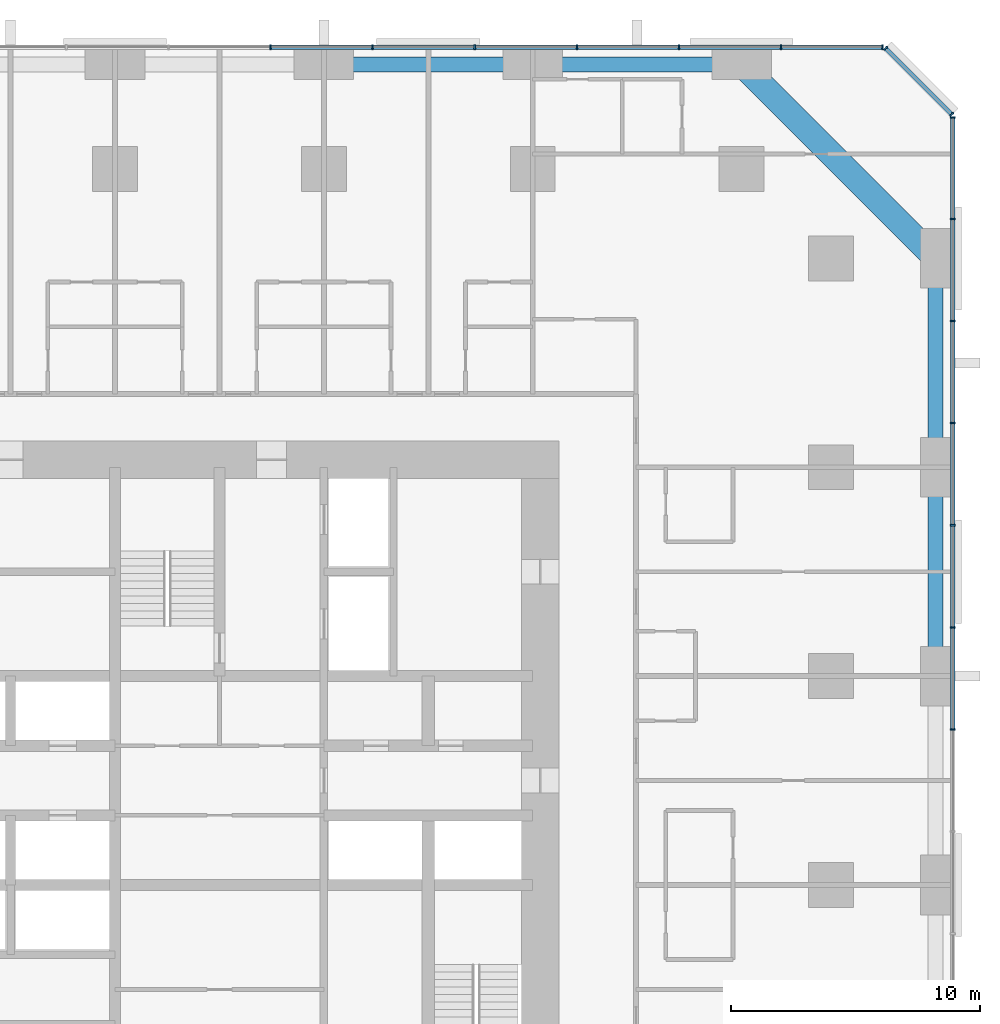
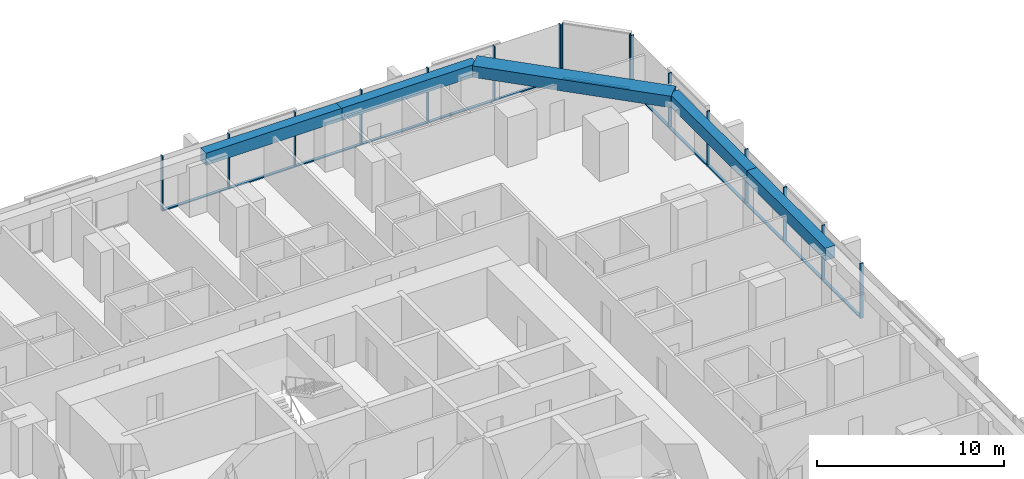
# One storey, part 8 of 17: 29 members, 5 beams, 3 elements without a shape of their own.
"""IFC4 building model written with IfcOpenShell, lengths in metres."""

from ifc_helpers import new_model, si_unit, direction, frame, origin, origin_2d, place, context, subcontext, project, spatial, rectangle, extrude, material, material_profile, profile_set, type_object, element, aggregate, save


model = new_model("IFC4")

# Units and contexts
model_context = context("Model", 3, precision=1e-05, world=origin(), true_north=direction((0.0, 1.0)))
body_context = subcontext(model_context, "Body", "Model", "MODEL_VIEW")
ifc_project = project(units=[si_unit("LENGTHUNIT", "METRE"), si_unit("AREAUNIT", "SQUARE_METRE"), si_unit("VOLUMEUNIT", "CUBIC_METRE"), si_unit("PLANEANGLEUNIT", "RADIAN"), si_unit("MASSUNIT", "GRAM", prefix="KILO")], contexts=[model_context])

# Site, building, storey
site_placement = place(None, origin())
site = spatial("IfcSite", under=ifc_project, at=site_placement, CompositionType="ELEMENT")
building_placement = place(site_placement, origin())
building = spatial("IfcBuilding", under=site, at=building_placement, Name="Dunama Terrace Hotel", CompositionType="ELEMENT")
storey_placement = place(building_placement, frame((0.0, 0.0, 63.0)))
storey = spatial("IfcBuildingStorey", under=building, at=storey_placement, Name="L15", CompositionType="ELEMENT", Elevation=63.0)

# Curtain wall, members
ifc_material_1 = material(Name="Aluminium curtain wall system", Category="aluminium")
curtain_wall_type = type_object("IfcCurtainWallType", Name="Unitised fritted glass wall CW-A", PredefinedType="NOTDEFINED", material=ifc_material_1)
curtain_wall_1_placement = place(storey_placement, origin())
curtain_wall_1 = element("IfcCurtainWall", 1, at=curtain_wall_1_placement, inside=storey, type_object=curtain_wall_type, Name="Unitised fritted glass wall CW-A L15", PredefinedType="NOTDEFINED")
ifc_material_2 = material(Name="Aluminium mullion", Category="aluminium")
ifc_material_profile_1 = material_profile(ifc_material_2, rectangle(XDim=0.06494140625, YDim=0.199951171875, at=origin_2d()), Name="CWA MULLION 65X200")
ifc_profile_set_1 = profile_set([ifc_material_profile_1], Name="Aluminium mullion")
member_type_1 = type_object("IfcMemberType", Name="CWA mullion 65x200", PredefinedType="MULLION", material=ifc_profile_set_1)
member_1_placement = place(storey_placement, frame((58.89990234375, 31.4541015625, 0.0), z_axis=(0.0, 0.0, 1.0), x_axis=(0.0, 1.0, 0.0)))
member_1 = element("IfcMember", 2, at=member_1_placement, type_object=member_type_1, Name="CWA mullion", PredefinedType="MULLION", context=body_context, shape_type="SweptSolid", body=[
    extrude(rectangle(XDim=0.06494140625, YDim=0.199951171875, at=origin_2d()), origin(), (0.0, 0.0, 1.0), 3.60009765625),
])
member_2_placement = place(storey_placement, frame((58.89990234375, 35.56201171875, 0.0), z_axis=(0.0, 0.0, 1.0), x_axis=(0.0, 1.0, 0.0)))
member_2 = element("IfcMember", 3, at=member_2_placement, type_object=member_type_1, Name="CWA mullion", PredefinedType="MULLION", context=body_context, shape_type="SweptSolid", body=[
    extrude(rectangle(XDim=0.06494140625, YDim=0.199951171875, at=origin_2d()), origin(), (0.0, 0.0, 1.0), 3.60009765625),
])
member_3_placement = place(storey_placement, frame((58.89990234375, 39.6689453125, 0.0), z_axis=(0.0, 0.0, 1.0), x_axis=(0.0, 1.0, 0.0)))
member_3 = element("IfcMember", 4, at=member_3_placement, type_object=member_type_1, Name="CWA mullion", PredefinedType="MULLION", context=body_context, shape_type="SweptSolid", body=[
    extrude(rectangle(XDim=0.06494140625, YDim=0.199951171875, at=origin_2d()), origin(), (0.0, 0.0, 1.0), 3.60009765625),
])
member_4_placement = place(storey_placement, frame((58.89990234375, 43.777099609375, 0.0), z_axis=(0.0, 0.0, 1.0), x_axis=(0.0, 1.0, 0.0)))
member_4 = element("IfcMember", 5, at=member_4_placement, type_object=member_type_1, Name="CWA mullion", PredefinedType="MULLION", context=body_context, shape_type="SweptSolid", body=[
    extrude(rectangle(XDim=0.06494140625, YDim=0.199951171875, at=origin_2d()), origin(), (0.0, 0.0, 1.0), 3.60009765625),
])
member_5_placement = place(storey_placement, frame((58.89990234375, 47.885009765625, 0.0), z_axis=(0.0, 0.0, 1.0), x_axis=(0.0, 1.0, 0.0)))
member_5 = element("IfcMember", 6, at=member_5_placement, type_object=member_type_1, Name="CWA mullion", PredefinedType="MULLION", context=body_context, shape_type="SweptSolid", body=[
    extrude(rectangle(XDim=0.06494140625, YDim=0.199951171875, at=origin_2d()), origin(), (0.0, 0.0, 1.0), 3.60009765625),
])
member_6_placement = place(storey_placement, frame((58.89990234375, 51.991943359375, 0.0), z_axis=(0.0, 0.0, 1.0), x_axis=(0.0, 1.0, 0.0)))
member_6 = element("IfcMember", 7, at=member_6_placement, type_object=member_type_1, Name="CWA mullion", PredefinedType="MULLION", context=body_context, shape_type="SweptSolid", body=[
    extrude(rectangle(XDim=0.06494140625, YDim=0.199951171875, at=origin_2d()), origin(), (0.0, 0.0, 1.0), 3.60009765625),
])
member_7_placement = place(storey_placement, frame((58.89990234375, 56.06689453125, 0.0), z_axis=(0.0, 0.0, 1.0), x_axis=(0.0, 1.0, 0.0)))
member_7 = element("IfcMember", 8, at=member_7_placement, type_object=member_type_1, Name="CWA mullion", PredefinedType="MULLION", context=body_context, shape_type="SweptSolid", body=[
    extrude(rectangle(XDim=0.06494140625, YDim=0.199951171875, at=origin_2d()), origin(), (0.0, 0.0, 1.0), 3.60009765625),
])

curtain_wall_2_placement = place(storey_placement, origin())
curtain_wall_2 = element("IfcCurtainWall", 9, at=curtain_wall_2_placement, inside=storey, type_object=curtain_wall_type, Name="Unitised fritted glass wall CW-A L15", PredefinedType="NOTDEFINED")
member_8_placement = place(storey_placement, frame((58.847900390625, 56.194091796875, 0.0), z_axis=(0.0, 0.0, 1.0), x_axis=(-0.707106781187, 0.707106781187, 0.0)))
member_8 = element("IfcMember", 10, at=member_8_placement, type_object=member_type_1, Name="CWA mullion", PredefinedType="MULLION", context=body_context, shape_type="SweptSolid", body=[
    extrude(rectangle(XDim=0.06494140625, YDim=0.199951171875, at=origin_2d()), origin(), (0.0, 0.0, 1.0), 3.60009765625),
])
member_9_placement = place(storey_placement, frame((56.194091796875, 58.847900390625, 0.0), z_axis=(0.0, 0.0, 1.0), x_axis=(-0.707106781187, 0.707106781187, 0.0)))
member_9 = element("IfcMember", 11, at=member_9_placement, type_object=member_type_1, Name="CWA mullion", PredefinedType="MULLION", context=body_context, shape_type="SweptSolid", body=[
    extrude(rectangle(XDim=0.06494140625, YDim=0.199951171875, at=origin_2d()), origin(), (0.0, 0.0, 1.0), 3.60009765625),
])

curtain_wall_3_placement = place(storey_placement, origin())
curtain_wall_3 = element("IfcCurtainWall", 12, at=curtain_wall_3_placement, inside=storey, type_object=curtain_wall_type, Name="Unitised fritted glass wall CW-A L15", PredefinedType="NOTDEFINED")
member_10_placement = place(storey_placement, frame((56.06689453125, 58.89990234375, 0.0), z_axis=(0.0, 0.0, 1.0), x_axis=(-1.0, 0.0, 0.0)))
member_10 = element("IfcMember", 13, at=member_10_placement, type_object=member_type_1, Name="CWA mullion", PredefinedType="MULLION", context=body_context, shape_type="SweptSolid", body=[
    extrude(rectangle(XDim=0.06494140625, YDim=0.199951171875, at=origin_2d()), origin(), (0.0, 0.0, 1.0), 3.60009765625),
])
member_11_placement = place(storey_placement, frame((51.991943359375, 58.89990234375, 0.0), z_axis=(0.0, 0.0, 1.0), x_axis=(-1.0, 0.0, 0.0)))
member_11 = element("IfcMember", 14, at=member_11_placement, type_object=member_type_1, Name="CWA mullion", PredefinedType="MULLION", context=body_context, shape_type="SweptSolid", body=[
    extrude(rectangle(XDim=0.06494140625, YDim=0.199951171875, at=origin_2d()), origin(), (0.0, 0.0, 1.0), 3.60009765625),
])
member_12_placement = place(storey_placement, frame((47.885009765625, 58.89990234375, 0.0), z_axis=(0.0, 0.0, 1.0), x_axis=(-1.0, 0.0, 0.0)))
member_12 = element("IfcMember", 15, at=member_12_placement, type_object=member_type_1, Name="CWA mullion", PredefinedType="MULLION", context=body_context, shape_type="SweptSolid", body=[
    extrude(rectangle(XDim=0.06494140625, YDim=0.199951171875, at=origin_2d()), origin(), (0.0, 0.0, 1.0), 3.60009765625),
])
member_13_placement = place(storey_placement, frame((43.777099609375, 58.89990234375, 0.0), z_axis=(0.0, 0.0, 1.0), x_axis=(-1.0, 0.0, 0.0)))
member_13 = element("IfcMember", 16, at=member_13_placement, type_object=member_type_1, Name="CWA mullion", PredefinedType="MULLION", context=body_context, shape_type="SweptSolid", body=[
    extrude(rectangle(XDim=0.06494140625, YDim=0.199951171875, at=origin_2d()), origin(), (0.0, 0.0, 1.0), 3.60009765625),
])
member_14_placement = place(storey_placement, frame((39.6689453125, 58.89990234375, 0.0), z_axis=(0.0, 0.0, 1.0), x_axis=(-1.0, 0.0, 0.0)))
member_14 = element("IfcMember", 17, at=member_14_placement, type_object=member_type_1, Name="CWA mullion", PredefinedType="MULLION", context=body_context, shape_type="SweptSolid", body=[
    extrude(rectangle(XDim=0.06494140625, YDim=0.199951171875, at=origin_2d()), origin(), (0.0, 0.0, 1.0), 3.60009765625),
])
member_15_placement = place(storey_placement, frame((35.56201171875, 58.89990234375, 0.0), z_axis=(0.0, 0.0, 1.0), x_axis=(-1.0, 0.0, 0.0)))
member_15 = element("IfcMember", 18, at=member_15_placement, type_object=member_type_1, Name="CWA mullion", PredefinedType="MULLION", context=body_context, shape_type="SweptSolid", body=[
    extrude(rectangle(XDim=0.06494140625, YDim=0.199951171875, at=origin_2d()), origin(), (0.0, 0.0, 1.0), 3.60009765625),
])
member_16_placement = place(storey_placement, frame((31.4541015625, 58.89990234375, 0.0), z_axis=(0.0, 0.0, 1.0), x_axis=(-1.0, 0.0, 0.0)))
member_16 = element("IfcMember", 19, at=member_16_placement, type_object=member_type_1, Name="CWA mullion", PredefinedType="MULLION", context=body_context, shape_type="SweptSolid", body=[
    extrude(rectangle(XDim=0.06494140625, YDim=0.199951171875, at=origin_2d()), origin(), (0.0, 0.0, 1.0), 3.60009765625),
])

# Member
ifc_material_3 = material(Name="Aluminium transom", Category="aluminium")
ifc_material_profile_2 = material_profile(ifc_material_3, rectangle(XDim=0.179931640625, YDim=0.074951171875, at=origin_2d()), Name="CWA TRANSOM 180X75")
ifc_profile_set_2 = profile_set([ifc_material_profile_2], Name="Aluminium transom")
member_type_2 = type_object("IfcMemberType", Name="CWA transom 180x75", PredefinedType="USERDEFINED", material=ifc_profile_set_2)
member_17_placement = place(storey_placement, frame((58.89990234375, 31.486083984375, 0.03759765625), z_axis=(0.0, 1.0, 0.0), x_axis=(-1.0, 0.0, 0.0)))
member_17 = element("IfcMember", 20, at=member_17_placement, type_object=member_type_2, Name="CWA transom", ObjectType="TRANSOM", PredefinedType="USERDEFINED", context=body_context, shape_type="SweptSolid", body=[
    extrude(rectangle(XDim=0.179931640625, YDim=0.074951171875, at=origin_2d()), origin(), (0.0, 0.0, 1.0), 4.04296875),
])

member_18_placement = place(storey_placement, frame((58.89990234375, 35.593994140625, 0.03759765625), z_axis=(0.0, 1.0, 0.0), x_axis=(-1.0, 0.0, 0.0)))
member_18 = element("IfcMember", 21, at=member_18_placement, type_object=member_type_2, Name="CWA transom", ObjectType="TRANSOM", PredefinedType="USERDEFINED", context=body_context, shape_type="SweptSolid", body=[
    extrude(rectangle(XDim=0.179931640625, YDim=0.074951171875, at=origin_2d()), origin(), (0.0, 0.0, 1.0), 4.04296875),
])

member_19_placement = place(storey_placement, frame((58.89990234375, 39.701904296875, 0.03759765625), z_axis=(0.0, 1.0, 0.0), x_axis=(-1.0, 0.0, 0.0)))
member_19 = element("IfcMember", 22, at=member_19_placement, type_object=member_type_2, Name="CWA transom", ObjectType="TRANSOM", PredefinedType="USERDEFINED", context=body_context, shape_type="SweptSolid", body=[
    extrude(rectangle(XDim=0.179931640625, YDim=0.074951171875, at=origin_2d()), origin(), (0.0, 0.0, 1.0), 4.0419921875),
])

member_20_placement = place(storey_placement, frame((58.89990234375, 43.80908203125, 0.03759765625), z_axis=(0.0, 1.0, 0.0), x_axis=(-1.0, 0.0, 0.0)))
member_20 = element("IfcMember", 23, at=member_20_placement, type_object=member_type_2, Name="CWA transom", ObjectType="TRANSOM", PredefinedType="USERDEFINED", context=body_context, shape_type="SweptSolid", body=[
    extrude(rectangle(XDim=0.179931640625, YDim=0.074951171875, at=origin_2d()), origin(), (0.0, 0.0, 1.0), 4.04296875),
])

member_21_placement = place(storey_placement, frame((58.89990234375, 47.9169921875, 0.03759765625), z_axis=(0.0, 1.0, 0.0), x_axis=(-1.0, 0.0, 0.0)))
member_21 = element("IfcMember", 24, at=member_21_placement, type_object=member_type_2, Name="CWA transom", ObjectType="TRANSOM", PredefinedType="USERDEFINED", context=body_context, shape_type="SweptSolid", body=[
    extrude(rectangle(XDim=0.179931640625, YDim=0.074951171875, at=origin_2d()), origin(), (0.0, 0.0, 1.0), 4.04296875),
])

member_22_placement = place(storey_placement, frame((58.89990234375, 52.02490234375, 0.03759765625), z_axis=(0.0, 1.0, 0.0), x_axis=(-1.0, 0.0, 0.0)))
member_22 = element("IfcMember", 25, at=member_22_placement, type_object=member_type_2, Name="CWA transom", ObjectType="TRANSOM", PredefinedType="USERDEFINED", context=body_context, shape_type="SweptSolid", body=[
    extrude(rectangle(XDim=0.179931640625, YDim=0.074951171875, at=origin_2d()), origin(), (0.0, 0.0, 1.0), 4.010009765625),
])

aggregate(curtain_wall_1, [member_1, member_2, member_3, member_4, member_5, member_6, member_7, member_17, member_18, member_19, member_20, member_21, member_22])

member_23_placement = place(storey_placement, frame((58.824951171875, 56.217041015625, 0.03759765625), z_axis=(-0.707106781187, 0.707106781187, 0.0), x_axis=(-0.707106781187, -0.707106781187, 0.0)))
member_23 = element("IfcMember", 26, at=member_23_placement, type_object=member_type_2, Name="CWA transom", ObjectType="TRANSOM", PredefinedType="USERDEFINED", context=body_context, shape_type="SweptSolid", body=[
    extrude(rectangle(XDim=0.179931640625, YDim=0.074951171875, at=origin_2d()), origin(), (0.0, 0.0, 1.0), 3.688232421875),
])

aggregate(curtain_wall_2, [member_8, member_9, member_23])

member_24_placement = place(storey_placement, frame((56.034912109375, 58.89990234375, 0.03759765625), z_axis=(-1.0, 0.0, 0.0), x_axis=(0.0, -1.0, 0.0)))
member_24 = element("IfcMember", 27, at=member_24_placement, type_object=member_type_2, Name="CWA transom", ObjectType="TRANSOM", PredefinedType="USERDEFINED", context=body_context, shape_type="SweptSolid", body=[
    extrude(rectangle(XDim=0.179931640625, YDim=0.074951171875, at=origin_2d()), origin(), (0.0, 0.0, 1.0), 4.010009765625),
])

member_25_placement = place(storey_placement, frame((51.9599609375, 58.89990234375, 0.03759765625), z_axis=(-1.0, 0.0, 0.0), x_axis=(0.0, -1.0, 0.0)))
member_25 = element("IfcMember", 28, at=member_25_placement, type_object=member_type_2, Name="CWA transom", ObjectType="TRANSOM", PredefinedType="USERDEFINED", context=body_context, shape_type="SweptSolid", body=[
    extrude(rectangle(XDim=0.179931640625, YDim=0.074951171875, at=origin_2d()), origin(), (0.0, 0.0, 1.0), 4.04296875),
])

member_26_placement = place(storey_placement, frame((47.85205078125, 58.89990234375, 0.03759765625), z_axis=(-1.0, 0.0, 0.0), x_axis=(0.0, -1.0, 0.0)))
member_26 = element("IfcMember", 29, at=member_26_placement, type_object=member_type_2, Name="CWA transom", ObjectType="TRANSOM", PredefinedType="USERDEFINED", context=body_context, shape_type="SweptSolid", body=[
    extrude(rectangle(XDim=0.179931640625, YDim=0.074951171875, at=origin_2d()), origin(), (0.0, 0.0, 1.0), 4.04296875),
])

member_27_placement = place(storey_placement, frame((43.743896484375, 58.89990234375, 0.03759765625), z_axis=(-1.0, 0.0, 0.0), x_axis=(0.0, -1.0, 0.0)))
member_27 = element("IfcMember", 30, at=member_27_placement, type_object=member_type_2, Name="CWA transom", ObjectType="TRANSOM", PredefinedType="USERDEFINED", context=body_context, shape_type="SweptSolid", body=[
    extrude(rectangle(XDim=0.179931640625, YDim=0.074951171875, at=origin_2d()), origin(), (0.0, 0.0, 1.0), 4.0419921875),
])

member_28_placement = place(storey_placement, frame((39.636962890625, 58.89990234375, 0.03759765625), z_axis=(-1.0, 0.0, 0.0), x_axis=(0.0, -1.0, 0.0)))
member_28 = element("IfcMember", 31, at=member_28_placement, type_object=member_type_2, Name="CWA transom", ObjectType="TRANSOM", PredefinedType="USERDEFINED", context=body_context, shape_type="SweptSolid", body=[
    extrude(rectangle(XDim=0.179931640625, YDim=0.074951171875, at=origin_2d()), origin(), (0.0, 0.0, 1.0), 4.04296875),
])

member_29_placement = place(storey_placement, frame((35.529052734375, 58.89990234375, 0.03759765625), z_axis=(-1.0, 0.0, 0.0), x_axis=(0.0, -1.0, 0.0)))
member_29 = element("IfcMember", 32, at=member_29_placement, type_object=member_type_2, Name="CWA transom", ObjectType="TRANSOM", PredefinedType="USERDEFINED", context=body_context, shape_type="SweptSolid", body=[
    extrude(rectangle(XDim=0.179931640625, YDim=0.074951171875, at=origin_2d()), origin(), (0.0, 0.0, 1.0), 4.04296875),
])

aggregate(curtain_wall_3, [member_10, member_11, member_12, member_13, member_14, member_15, member_16, member_24, member_25, member_26, member_27, member_28, member_29])

# Beams
ifc_material_4 = material(Name="Concrete C50/60", Category="concrete")
ifc_material_profile_3 = material_profile(ifc_material_4, rectangle(XDim=1.0, YDim=0.75, at=origin_2d()), Name="RC 1000x750")
ifc_profile_set_3 = profile_set([ifc_material_profile_3], Name="Concrete C50/60")
beam_type_1 = type_object("IfcBeamType", Name="Edge beam RC 1000x750", PredefinedType="SPANDREL", material=ifc_profile_set_3)
beam_placement = place(storey_placement, frame((50.39990234375, 58.199951171875, 3.22509765625), z_axis=(0.707106781187, -0.707106781187, 0.0), x_axis=(0.707106781187, 0.707106781187, 0.0)))
element("IfcBeam", 33, at=beam_placement, inside=storey, type_object=beam_type_1, Name="Corner edge beam under L16", PredefinedType="SPANDREL", context=body_context, shape_type="SweptSolid", body=[
    extrude(rectangle(XDim=1.0, YDim=0.75, at=origin_2d()), origin(), (0.0, 0.0, 1.0), 11.031005859375),
])
ifc_material_5 = material(Name="Concrete C40/50", Category="concrete")
ifc_material_profile_4 = material_profile(ifc_material_5, rectangle(XDim=0.60009765625, YDim=0.800048828125, at=origin_2d()), Name="RC 600x800")
ifc_profile_set_4 = profile_set([ifc_material_profile_4], Name="Concrete C40/50")
beam_type_2 = type_object("IfcBeamType", Name="Edge beam RC 600x800", PredefinedType="SPANDREL", material=ifc_profile_set_4)
for number, where, z_axis, x_axis, name in (
    (34, (58.199951171875, 33.60009765625, 3.199951171875), (0.0, 1.0, 0.0), (-1.0, 0.0, 0.0), "Edge beam under L16"),
    (35, (58.199951171875, 42.0, 3.199951171875), (0.0, 1.0, 0.0), (-1.0, 0.0, 0.0), "Edge beam under L16"),
    (36, (33.60009765625, 58.199951171875, 3.199951171875), (1.0, 0.0, 0.0), (0.0, 1.0, 0.0), "Edge beam under L16"),
    (37, (42.0, 58.199951171875, 3.199951171875), (1.0, 0.0, 0.0), (0.0, 1.0, 0.0), "Edge beam under L16"),
):
    element("IfcBeam", number, at=place(storey_placement, frame(where, z_axis=z_axis, x_axis=x_axis)), inside=storey, type_object=beam_type_2, Name=name, PredefinedType="SPANDREL", context=body_context, shape_type="SweptSolid", body=[
        extrude(rectangle(XDim=0.60009765625, YDim=0.800048828125, at=origin_2d()), origin(), (0.0, 0.0, 1.0), 8.39990234375),
    ])

save(model, "model.ifc")
